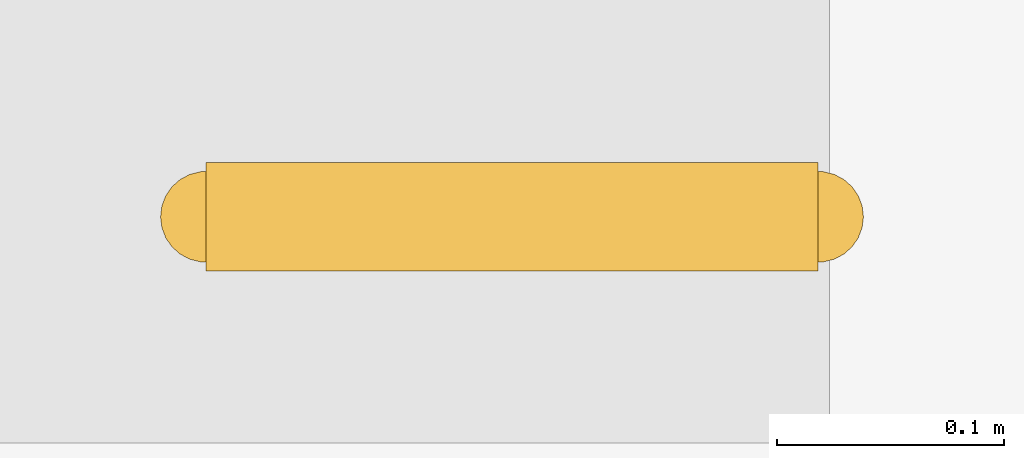
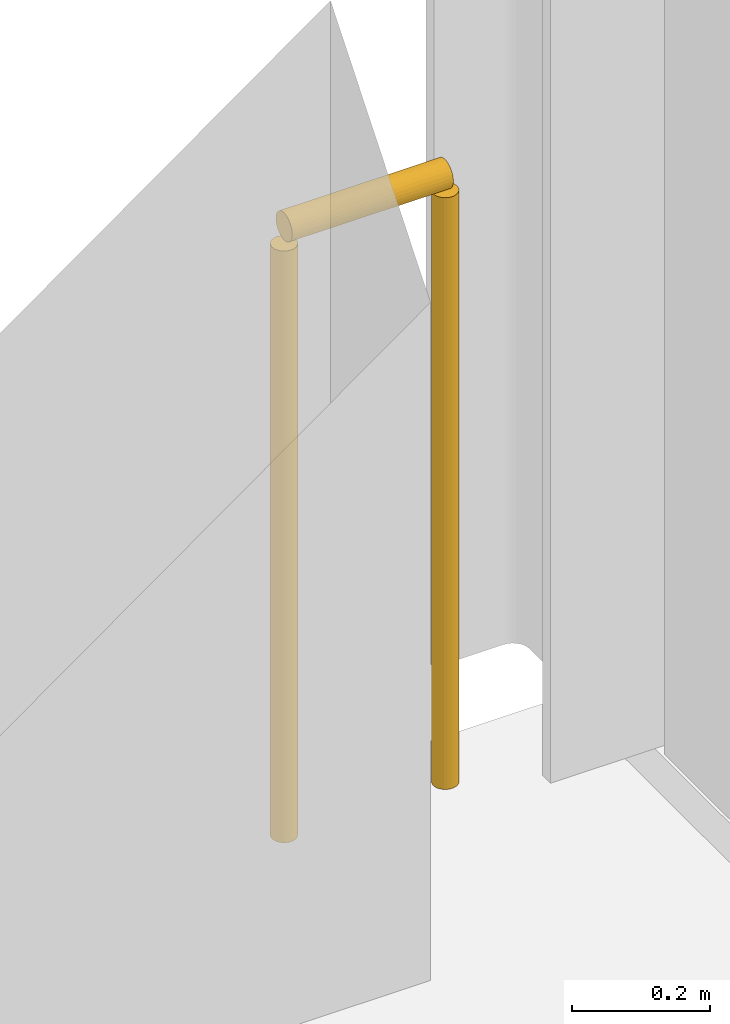
# One storey, part 16 of 16: 1 railing.
"""IFC4 building model written with IfcOpenShell, lengths in metres."""

from ifc_helpers import new_model, si_unit, derived_unit, direction, frame, origin, origin_2d, place, context, subcontext, project, spatial, circle, extrude, material, type_object, element, save


model = new_model("IFC4")

# Units and contexts
model_context = context("Model", 3, precision=1e-05, world=origin(), true_north=direction((0.0, 1.0)))
body_context = subcontext(model_context, "Body", "Model", "MODEL_VIEW")
ifc_project = project(units=[si_unit("LENGTHUNIT", "METRE"), si_unit("AREAUNIT", "SQUARE_METRE"), si_unit("VOLUMEUNIT", "CUBIC_METRE"), si_unit("PLANEANGLEUNIT", "RADIAN"), si_unit("MASSUNIT", "GRAM", prefix="KILO"), derived_unit("THERMALTRANSMITTANCEUNIT", [(si_unit("POWERUNIT", "WATT"), 1), (si_unit("LENGTHUNIT", "METRE"), -2), (si_unit("THERMODYNAMICTEMPERATUREUNIT", "KELVIN"), -1)])], contexts=[model_context])

# Site, building, storey
site_placement = place(None, origin())
site = spatial("IfcSite", under=ifc_project, at=site_placement, CompositionType="ELEMENT")
building_placement = place(site_placement, origin())
building = spatial("IfcBuilding", under=site, at=building_placement, Name="Elbkamm Science Centre", CompositionType="ELEMENT")
storey_placement = place(building_placement, frame((0.0, 0.0, 21.60009765625)))
storey = spatial("IfcBuildingStorey", under=building, at=storey_placement, Name="L05", CompositionType="ELEMENT", Elevation=21.60009765625)

# Railing
ifc_material = material(Name="Stainless steel EN 1.4401", Category="steel")
railing_type = type_object("IfcRailingType", Name="RAIL-EXT-GUARD-1100", PredefinedType="GUARDRAIL", material=ifc_material)
railing_placement = place(storey_placement, frame((125.449951171875, 58.699951171875, 0.0)))
element("IfcRailing", 1, at=railing_placement, inside=storey, type_object=railing_type, Name="L05 Slab Edge Perimeter Guard 127", PredefinedType="GUARDRAIL", context=body_context, shape_type="SweptSolid", body=[
    extrude(circle(Radius=0.02392578125, at=origin_2d()), frame((0.0, 0.0, 1.078125), z_axis=(1.0, 0.0, 0.0), x_axis=(0.0, 1.0, 0.0)), (0.0, 0.0, 1.0), 0.27001953125),
    extrude(circle(Radius=0.02001953125, at=origin_2d()), origin(), (0.0, 0.0, 1.0), 1.048095703125),
    extrude(circle(Radius=0.02001953125, at=origin_2d()), frame((0.27001953125, 0.0, 0.0)), (0.0, 0.0, 1.0), 1.048095703125),
])

save(model, "model.ifc")
